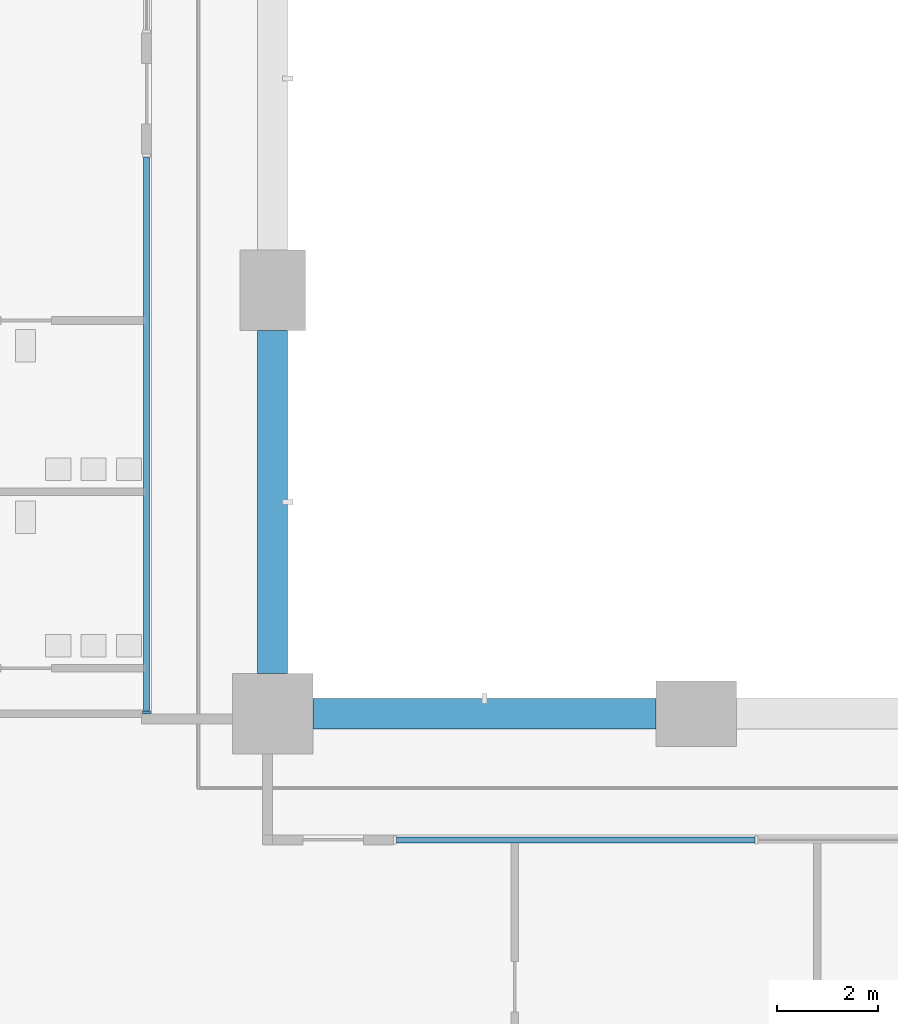
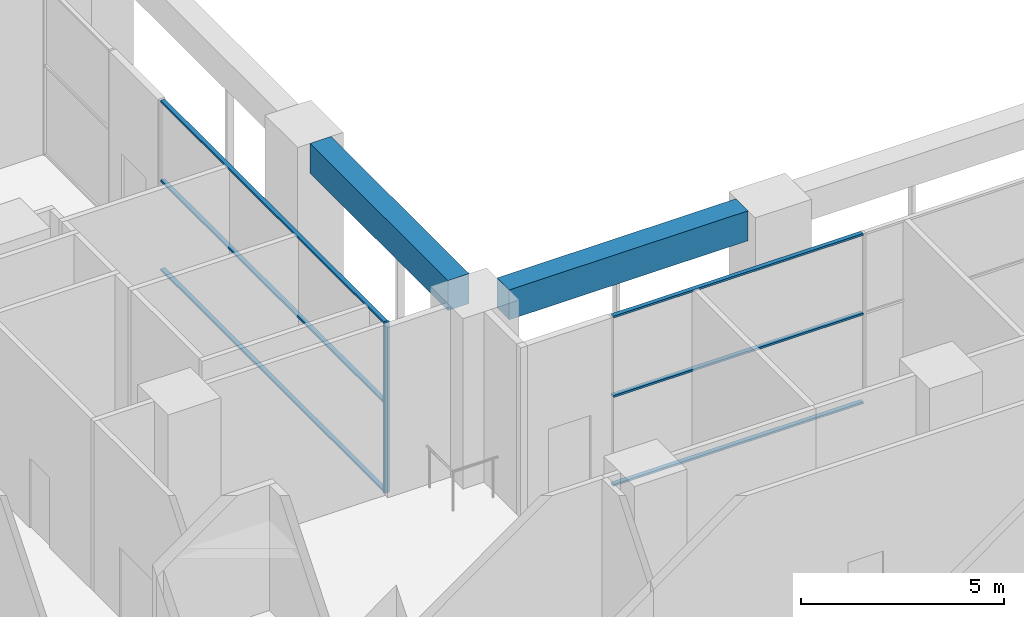
# One storey, part 5 of 32: 7 members, 2 beams, 2 elements without a shape of their own.
"""IFC4 building model written with IfcOpenShell, lengths in metres."""

from ifc_helpers import new_model, si_unit, direction, frame, origin, origin_2d, place, context, subcontext, project, spatial, rectangle, extrude, material, material_profile, profile_set, type_object, element, aggregate, save


model = new_model("IFC4")

# Units and contexts
model_context = context("Model", 3, precision=1e-05, world=origin(), true_north=direction((0.0, 1.0)))
body_context = subcontext(model_context, "Body", "Model", "MODEL_VIEW")
ifc_project = project(units=[si_unit("LENGTHUNIT", "METRE"), si_unit("AREAUNIT", "SQUARE_METRE"), si_unit("VOLUMEUNIT", "CUBIC_METRE"), si_unit("PLANEANGLEUNIT", "RADIAN"), si_unit("MASSUNIT", "GRAM", prefix="KILO")], contexts=[model_context])

# Site, building, storey
site_placement = place(None, origin())
site = spatial("IfcSite", under=ifc_project, at=site_placement, CompositionType="ELEMENT")
building_placement = place(site_placement, origin())
building = spatial("IfcBuilding", under=site, at=building_placement, Name="Vermilion Gate Residences", CompositionType="ELEMENT")
storey_placement = place(building_placement, frame((0.0, 0.0, 19.800048828125)))
storey = spatial("IfcBuildingStorey", under=building, at=storey_placement, Name="L03", CompositionType="ELEMENT", Elevation=19.800048828125)

# Curtain wall, member
ifc_material_1 = material(Name="Aluminium and glass", Category="aluminium")
curtain_wall_type = type_object("IfcCurtainWallType", Name="AMENITY GLAZING CURTAIN WALL", PredefinedType="NOTDEFINED", material=ifc_material_1)
curtain_wall_1_placement = place(storey_placement, origin())
curtain_wall_1 = element("IfcCurtainWall", 1, at=curtain_wall_1_placement, inside=storey, type_object=curtain_wall_type, Name="Amenity Glazing 160", PredefinedType="NOTDEFINED")
ifc_material_2 = material(Name="Aluminium", Category="aluminium")
ifc_material_profile_1 = material_profile(ifc_material_2, rectangle(XDim=0.159912109375, YDim=0.06005859375, at=origin_2d()), Name="MULLION 60 X 160")
ifc_profile_set_1 = profile_set([ifc_material_profile_1], Name="Aluminium")
member_type_1 = type_object("IfcMemberType", Name="AMENITY GLAZING MULLION 60 X 160", PredefinedType="MULLION", material=ifc_profile_set_1)
member_1_placement = place(storey_placement, frame((22.699951171875, 25.22998046875, 0.0), z_axis=(0.0, 0.0, 1.0), x_axis=(-1.0, 0.0, 0.0)))
member_1 = element("IfcMember", 2, at=member_1_placement, type_object=member_type_1, Name="ECW2 mullion 1", PredefinedType="MULLION", context=body_context, shape_type="SweptSolid", body=[
    extrude(rectangle(XDim=0.159912109375, YDim=0.06005859375, at=origin_2d()), origin(), (0.0, 0.0, 1.0), 5.119873046875),
])

# Curtain wall, members
curtain_wall_2_placement = place(storey_placement, origin())
curtain_wall_2 = element("IfcCurtainWall", 3, at=curtain_wall_2_placement, inside=storey, type_object=curtain_wall_type, Name="Amenity Glazing 130", PredefinedType="NOTDEFINED")
ifc_material_3 = material(Name="Aluminium", Category="aluminium")
ifc_material_profile_2 = material_profile(ifc_material_3, rectangle(XDim=0.1201171875, YDim=0.06005859375, at=origin_2d()), Name="TRANSOM 60 X 120")
ifc_profile_set_2 = profile_set([ifc_material_profile_2], Name="Aluminium")
member_type_2 = type_object("IfcMemberType", Name="AMENITY GLAZING TRANSOM 60 X 120", PredefinedType="MULLION", material=ifc_profile_set_2)
member_2_placement = place(storey_placement, frame((34.77001953125, 22.699951171875, 0.030029296875), z_axis=(-1.0, 0.0, 0.0), x_axis=(0.0, -1.0, 0.0)))
member_2 = element("IfcMember", 4, at=member_2_placement, type_object=member_type_2, Name="ECW2 transom 2.1", PredefinedType="MULLION", context=body_context, shape_type="SweptSolid", body=[
    extrude(rectangle(XDim=0.1201171875, YDim=0.06005859375, at=origin_2d()), origin(), (0.0, 0.0, 1.0), 7.110107421875),
])
member_3_placement = place(storey_placement, frame((34.77001953125, 22.699951171875, 2.699951171875), z_axis=(-1.0, 0.0, 0.0), x_axis=(0.0, -1.0, 0.0)))
member_3 = element("IfcMember", 5, at=member_3_placement, type_object=member_type_2, Name="ECW2 transom 2.2", PredefinedType="MULLION", context=body_context, shape_type="SweptSolid", body=[
    extrude(rectangle(XDim=0.1201171875, YDim=0.06005859375, at=origin_2d()), origin(), (0.0, 0.0, 1.0), 7.110107421875),
])
member_4_placement = place(storey_placement, frame((34.77001953125, 22.699951171875, 5.08984375), z_axis=(-1.0, 0.0, 0.0), x_axis=(0.0, -1.0, 0.0)))
member_4 = element("IfcMember", 6, at=member_4_placement, type_object=member_type_2, Name="ECW2 transom 2.3", PredefinedType="MULLION", context=body_context, shape_type="SweptSolid", body=[
    extrude(rectangle(XDim=0.1201171875, YDim=0.06005859375, at=origin_2d()), origin(), (0.0, 0.0, 1.0), 7.110107421875),
])
aggregate(curtain_wall_2, [member_2, member_3, member_4])

# Member
member_5_placement = place(storey_placement, frame((22.699951171875, 25.260009765625, 0.030029296875), z_axis=(0.0, 1.0, 0.0), x_axis=(-1.0, 0.0, 0.0)))
member_5 = element("IfcMember", 7, at=member_5_placement, type_object=member_type_2, Name="ECW2 transom 1.1", PredefinedType="MULLION", context=body_context, shape_type="SweptSolid", body=[
    extrude(rectangle(XDim=0.1201171875, YDim=0.06005859375, at=origin_2d()), origin(), (0.0, 0.0, 1.0), 10.97998046875),
])

member_6_placement = place(storey_placement, frame((22.699951171875, 25.260009765625, 2.699951171875), z_axis=(0.0, 1.0, 0.0), x_axis=(-1.0, 0.0, 0.0)))
member_6 = element("IfcMember", 8, at=member_6_placement, type_object=member_type_2, Name="ECW2 transom 1.2", PredefinedType="MULLION", context=body_context, shape_type="SweptSolid", body=[
    extrude(rectangle(XDim=0.1201171875, YDim=0.06005859375, at=origin_2d()), origin(), (0.0, 0.0, 1.0), 10.97998046875),
])

member_7_placement = place(storey_placement, frame((22.699951171875, 25.260009765625, 5.08984375), z_axis=(0.0, 1.0, 0.0), x_axis=(-1.0, 0.0, 0.0)))
member_7 = element("IfcMember", 9, at=member_7_placement, type_object=member_type_2, Name="ECW2 transom 1.3", PredefinedType="MULLION", context=body_context, shape_type="SweptSolid", body=[
    extrude(rectangle(XDim=0.1201171875, YDim=0.06005859375, at=origin_2d()), origin(), (0.0, 0.0, 1.0), 10.97998046875),
])

aggregate(curtain_wall_1, [member_1, member_5, member_6, member_7])

# Beams
ifc_material_4 = material(Name="Concrete C60 red-oxide pigmented", Category="concrete")
ifc_material_profile_3 = material_profile(ifc_material_4, rectangle(XDim=0.60009765625, YDim=0.89990234375, at=origin_2d()), Name="RC-600x900")
ifc_profile_set_3 = profile_set([ifc_material_profile_3], Name="Concrete C60 red-oxide pigmented")
beam_type = type_object("IfcBeamType", Name="RC EDGE BEAM 600 X 900 C60", PredefinedType="BEAM", material=ifc_profile_set_3)
for number, where, z_axis, x_axis, name in (
    (10, (25.199951171875, 26.0, 4.669921875), (0.0, 1.0, 0.0), (-1.0, 0.0, 0.0), "Edge beam L03 12"),
    (11, (26.0, 25.199951171875, 4.669921875), (1.0, 0.0, 0.0), (0.0, 1.0, 0.0), "Edge beam L03 15"),
):
    element("IfcBeam", number, at=place(storey_placement, frame(where, z_axis=z_axis, x_axis=x_axis)), inside=storey, type_object=beam_type, Name=name, PredefinedType="BEAM", context=body_context, shape_type="SweptSolid", body=[
        extrude(rectangle(XDim=0.60009765625, YDim=0.89990234375, at=origin_2d()), origin(), (0.0, 0.0, 1.0), 6.800048828125),
    ])

save(model, "model.ifc")
